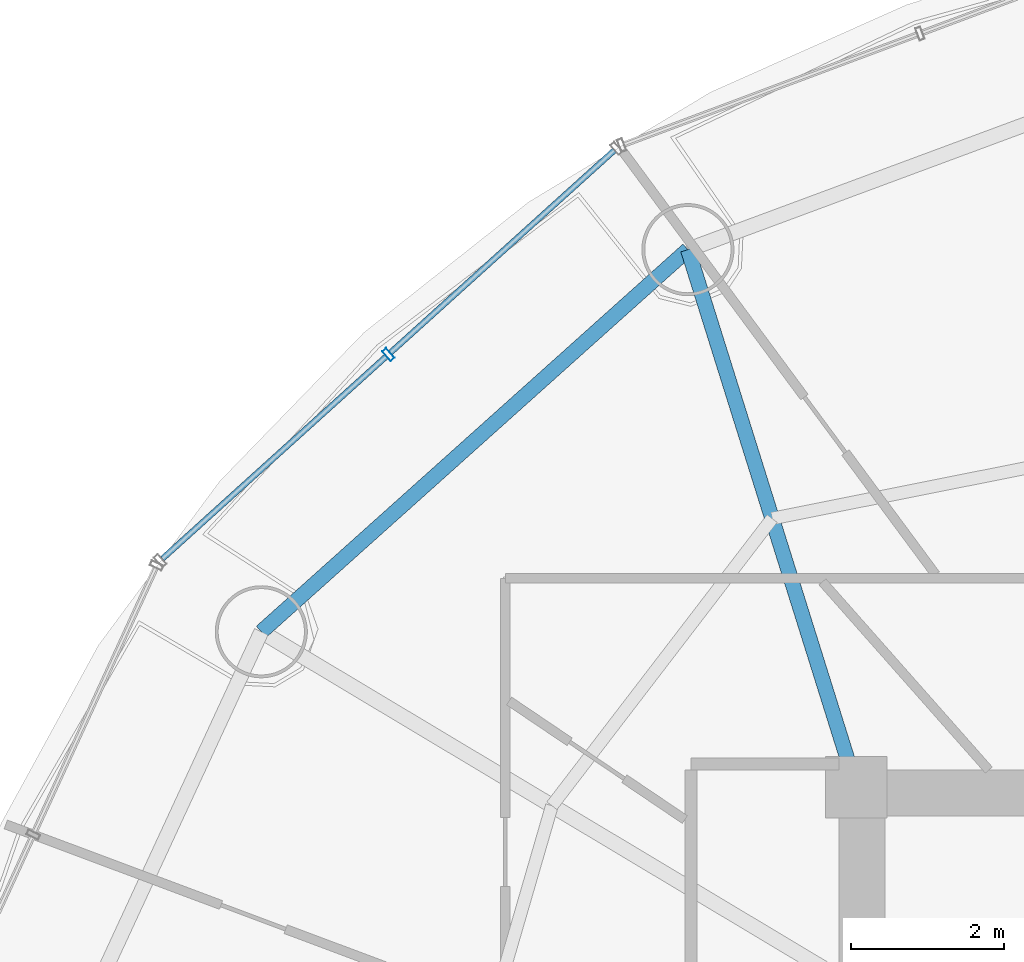
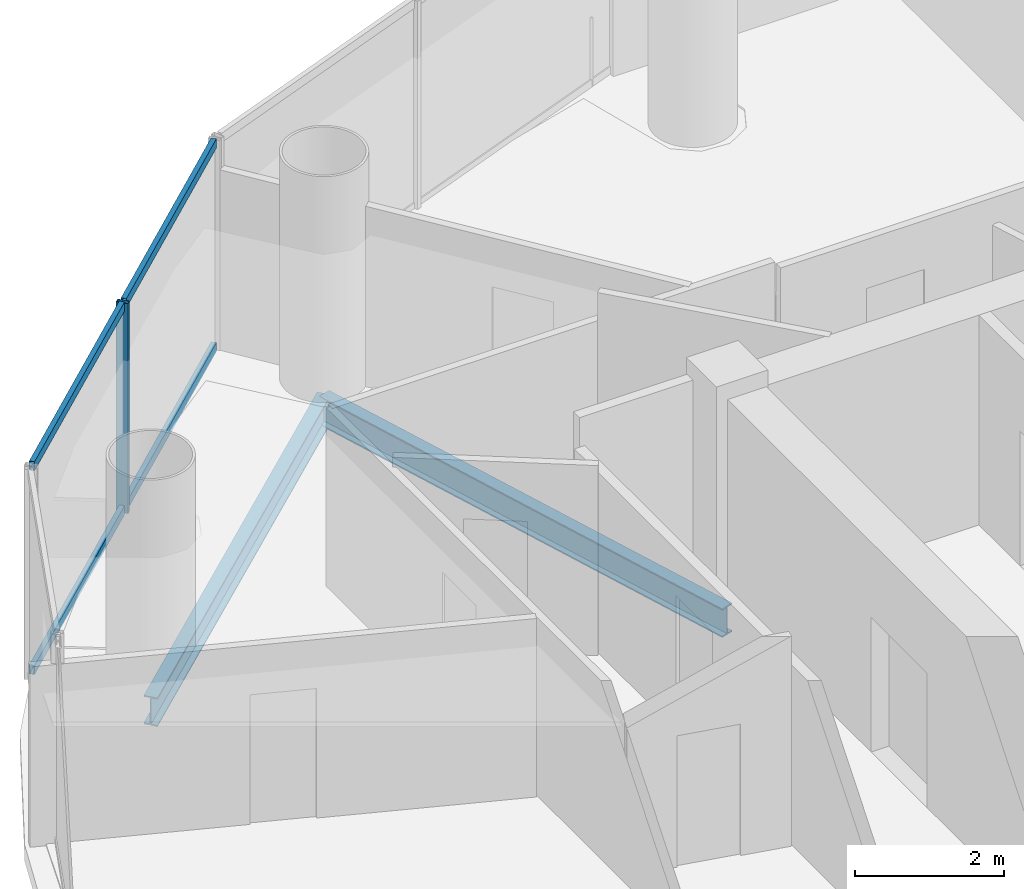
# One storey, part 14 of 26: 5 members, 2 beams, 1 element without a shape of its own.
"""IFC4 building model written with IfcOpenShell, lengths in metres."""

from ifc_helpers import new_model, si_unit, direction, frame, origin, origin_2d, place, context, subcontext, project, spatial, hollow_rectangle, i_section, extrude, source, transform, mapped, material, material_profile, profile_set, type_object, element, aggregate, save


model = new_model("IFC4")

# Units and contexts
model_context = context("Model", 3, precision=1e-05, world=origin(), true_north=direction((-0.2419218956, 0.970295726276)))
body_context = subcontext(model_context, "Body", "Model", "MODEL_VIEW")
ifc_project = project(units=[si_unit("LENGTHUNIT", "METRE"), si_unit("AREAUNIT", "SQUARE_METRE"), si_unit("VOLUMEUNIT", "CUBIC_METRE"), si_unit("PLANEANGLEUNIT", "RADIAN"), si_unit("MASSUNIT", "GRAM", prefix="KILO")], contexts=[model_context])

# Site, building, storey
site_placement = place(None, origin())
site = spatial("IfcSite", under=ifc_project, at=site_placement, CompositionType="ELEMENT")
building_placement = place(site_placement, origin())
building = spatial("IfcBuilding", under=site, at=building_placement, Name="Cobrevalo Terracotta Tower", CompositionType="ELEMENT")
storey_placement = place(building_placement, frame((0.0, 0.0, 206.0)))
storey = spatial("IfcBuildingStorey", under=building, at=storey_placement, Name="L54", CompositionType="ELEMENT", Elevation=206.0)

# Beams
ifc_material_1 = material(Name="Steel S355", Category="steel")
ifc_material_profile_1 = material_profile(ifc_material_1, i_section(OverallWidth=0.194091796875, OverallDepth=0.468994140625, WebThickness=0.011474609375, FlangeThickness=0.0205078125, at=origin_2d()), Name="W 460x106")
ifc_profile_set_1 = profile_set([ifc_material_profile_1], Name="Steel S355")
beam_type_1 = type_object("IfcBeamType", Name="Structural Beam W 460x106 (Steel S355)", PredefinedType="BEAM", material=ifc_profile_set_1)
beam_1_placement = place(storey_placement, frame((26.80517578125, 41.80810546875, -0.49951171875), z_axis=(0.298871212691, -0.954293454984, 0.0), x_axis=(0.954293454984, 0.298871212691, 0.0)))
element("IfcBeam", 1, at=beam_1_placement, inside=storey, type_object=beam_type_1, Name="L54 radial floor girder 06", PredefinedType="BEAM", context=body_context, shape_type="SweptSolid", body=[
    extrude(i_section(OverallWidth=0.194091796875, OverallDepth=0.468994140625, WebThickness=0.011474609375, FlangeThickness=0.0205078125, at=origin_2d()), origin(), (0.0, 0.0, 1.0), 7.34375),
])
ifc_material_profile_2 = material_profile(ifc_material_1, i_section(OverallWidth=0.194091796875, OverallDepth=0.468994140625, WebThickness=0.011474609375, FlangeThickness=0.0205078125, at=origin_2d()), Name="W 460x106")
ifc_profile_set_2 = profile_set([ifc_material_profile_2], Name="Steel S355")
beam_type_2 = type_object("IfcBeamType", Name="Structural Spandrel W 460x106 (Steel S355)", PredefinedType="SPANDREL", material=ifc_profile_set_2)
beam_2_placement = place(storey_placement, frame((26.80517578125, 41.80810546875, -0.49951171875), z_axis=(-0.744851930997, -0.667229796165, 0.0), x_axis=(0.667229796165, -0.744851930997, 0.0)))
element("IfcBeam", 2, at=beam_2_placement, inside=storey, type_object=beam_type_2, Name="L54 perimeter ring spandrel 06", PredefinedType="SPANDREL", context=body_context, shape_type="SweptSolid", body=[
    extrude(i_section(OverallWidth=0.194091796875, OverallDepth=0.468994140625, WebThickness=0.011474609375, FlangeThickness=0.0205078125, at=origin_2d()), origin(), (0.0, 0.0, 1.0), 7.463623046875),
])

# Curtain wall, members
ifc_material_2 = material(Name="Anodized aluminium", Category="aluminium")
curtain_wall_type = type_object("IfcCurtainWallType", Name="Mid-tower high-wind unitised curtain wall CW-U2", PredefinedType="NOTDEFINED", material=ifc_material_2)
curtain_wall_placement = place(storey_placement, origin())
curtain_wall = element("IfcCurtainWall", 3, at=curtain_wall_placement, inside=storey, type_object=curtain_wall_type, Name="L54 curtain wall CW-L54-S06", PredefinedType="NOTDEFINED")
ifc_material_profile_3 = material_profile(ifc_material_2, hollow_rectangle(XDim=0.074951171875, YDim=0.14990234375, WallThickness=0.00439453125, at=origin_2d()), Name="CWT 75x150")
ifc_profile_set_3 = profile_set([ifc_material_profile_3], Name="Anodized aluminium")
member_type_1 = type_object("IfcMemberType", Name="Tower unitised aluminium transom 75x150", PredefinedType="USERDEFINED", material=ifc_profile_set_3)
shared_shape_1 = source(origin(), body_context, "Body", "SweptSolid", [
    extrude(hollow_rectangle(XDim=0.074951171875, YDim=0.14990234375, WallThickness=0.00439453125, at=origin_2d()), origin(), (0.0, 0.0, 1.0), 3.927490234375),
])
member_1_placement = place(storey_placement, frame((22.872314453125, 40.414794921875, 0.050048828125), z_axis=(-0.741975952623, -0.670426495396, 0.0), x_axis=(0.670426495396, -0.741975952623, 0.0)))
member_1 = element("IfcMember", 4, at=member_1_placement, type_object=member_type_1, Name="CW-L54-S06 transom B02-T1", ObjectType="TRANSOM", PredefinedType="USERDEFINED", context=body_context, shape_type="MappedRepresentation", body=[
    mapped(shared_shape_1, transform((0.0, 0.0, 0.0), scale=1.0)),
])
member_2_placement = place(storey_placement, frame((22.872314453125, 40.414794921875, 3.385009765625), z_axis=(-0.741975952623, -0.670426495396, 0.0), x_axis=(0.670426495396, -0.741975952623, 0.0)))
member_2 = element("IfcMember", 5, at=member_2_placement, type_object=member_type_1, Name="CW-L54-S06 transom B02-T2", ObjectType="TRANSOM", PredefinedType="USERDEFINED", context=body_context, shape_type="MappedRepresentation", body=[
    mapped(shared_shape_1, transform((0.0, 0.0, 0.0), scale=1.0)),
])
shared_shape_2 = source(origin(), body_context, "Body", "SweptSolid", [
    extrude(hollow_rectangle(XDim=0.074951171875, YDim=0.14990234375, WallThickness=0.00439453125, at=origin_2d()), origin(), (0.0, 0.0, 1.0), 3.927734375),
])
member_3_placement = place(storey_placement, frame((25.845947265625, 43.101318359375, 0.050048828125), z_axis=(-0.742003891138, -0.670395573923, 0.0), x_axis=(0.670395573923, -0.742003891138, 0.0)))
member_3 = element("IfcMember", 6, at=member_3_placement, type_object=member_type_1, Name="CW-L54-S06 transom B01-T1", ObjectType="TRANSOM", PredefinedType="USERDEFINED", context=body_context, shape_type="MappedRepresentation", body=[
    mapped(shared_shape_2, transform((0.0, 0.0, 0.0), scale=1.0)),
])
member_4_placement = place(storey_placement, frame((25.845947265625, 43.101318359375, 3.385009765625), z_axis=(-0.742003891138, -0.670395573923, 0.0), x_axis=(0.670395573923, -0.742003891138, 0.0)))
member_4 = element("IfcMember", 7, at=member_4_placement, type_object=member_type_1, Name="CW-L54-S06 transom B01-T2", ObjectType="TRANSOM", PredefinedType="USERDEFINED", context=body_context, shape_type="MappedRepresentation", body=[
    mapped(shared_shape_2, transform((0.0, 0.0, 0.0), scale=1.0)),
])
ifc_material_profile_4 = material_profile(ifc_material_2, hollow_rectangle(XDim=0.070068359375, YDim=0.169921875, WallThickness=0.00439453125, at=origin_2d()), Name="CWM 70x170")
ifc_profile_set_4 = profile_set([ifc_material_profile_4], Name="Anodized aluminium")
member_type_2 = type_object("IfcMemberType", Name="Upper tower unitised mullion 70x170", PredefinedType="MULLION", material=ifc_profile_set_4)
shared_shape_3 = source(origin(), body_context, "Body", "SweptSolid", [
    extrude(hollow_rectangle(XDim=0.070068359375, YDim=0.169921875, WallThickness=0.00439453125, at=origin_2d()), origin(), (0.0, 0.0, 1.0), 3.43505859375),
])
member_5_placement = place(storey_placement, frame((22.902099609375, 40.441650390625, 0.0), z_axis=(0.0, 0.0, 1.0), x_axis=(-0.741987542015, -0.670413668935, 0.0)))
member_5 = element("IfcMember", 8, at=member_5_placement, type_object=member_type_2, Name="CW-L54-S06 vertical mullion 02", PredefinedType="MULLION", context=body_context, shape_type="MappedRepresentation", body=[
    mapped(shared_shape_3, transform((0.0, 0.0, 0.0), scale=1.0)),
])
aggregate(curtain_wall, [member_5, member_3, member_4, member_1, member_2])

save(model, "model.ifc")
